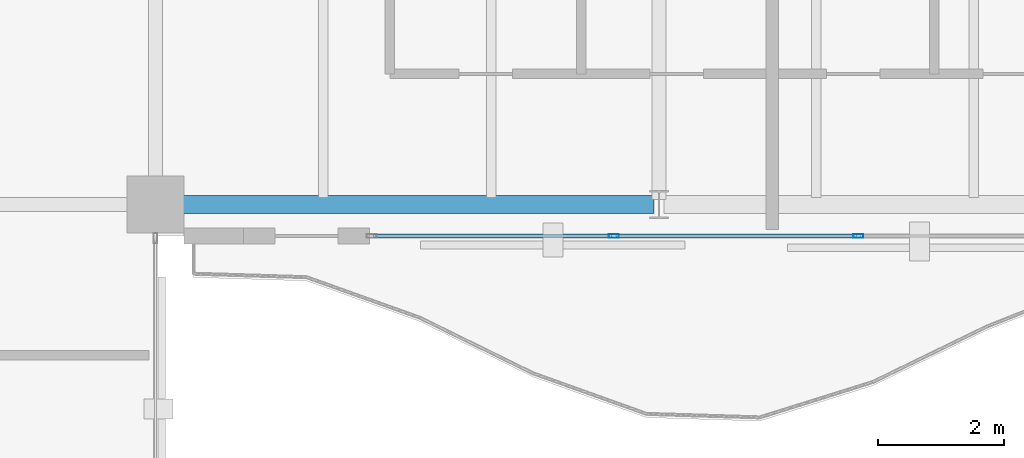
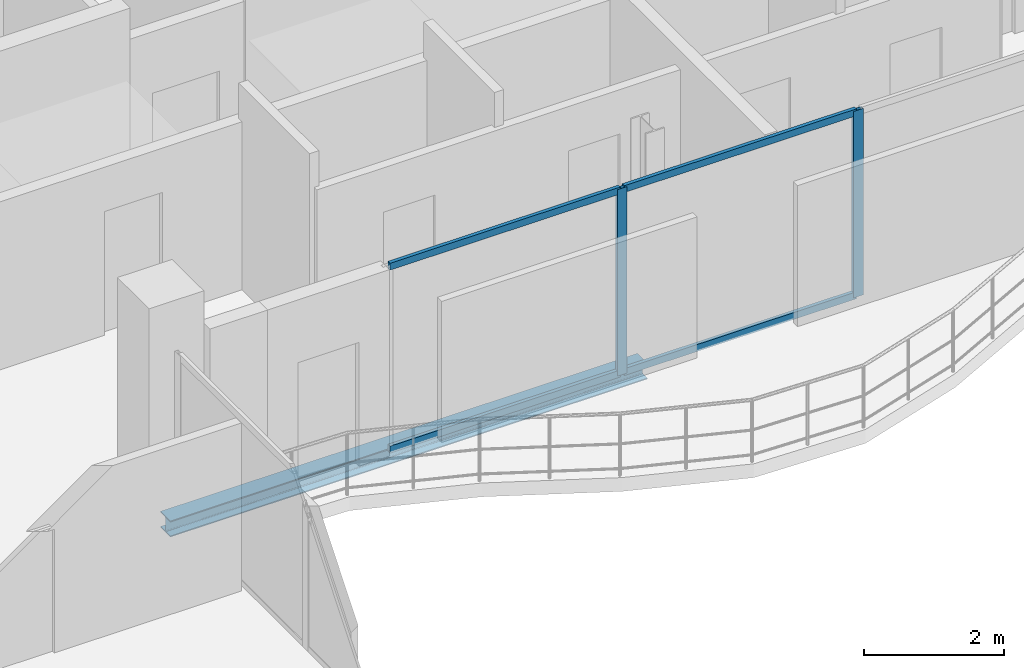
# One storey, part 9 of 22: 6 members, 1 beam, 1 element without a shape of its own.
"""IFC4 building model written with IfcOpenShell, lengths in metres."""

import ifcopenshell
import ifcopenshell.guid

model = None  # the IFC model being written
_history = None  # IfcOwnerHistory: only IFC2X3 demands one
_inside = {}  # id of a spatial element -> (the spatial element, [elements in it])
_under = {}  # id of a project, library or spatial element -> (it, [spatial elements below it])
_declared = {}  # id of a project -> (the project, [libraries it declares])
_typed = {}  # id of a type object -> (the type object, [elements of that type])
_made_of = {}  # id of a material, layer set ... -> (it, [elements and type objects made of it])


def new_model(schema):
    """Start an empty IFC model of exactly this schema.

    Asked for "IFC4X3", IfcOpenShell would pick the latest addendum, in which some entities
    have other attributes; the version numbers below select the first issue.
    IFC2X3 requires an IfcOwnerHistory on every rooted entity: one is made here for all.
    """
    global model, _history
    if schema == "IFC4X3":
        model = ifcopenshell.file(schema_version=(4, 3, 0, 0))
    else:
        model = ifcopenshell.file(schema=schema)
    _inside.clear()
    _under.clear()
    _declared.clear()
    _typed.clear()
    _made_of.clear()
    _history = None
    if model.schema == "IFC2X3":
        org = make("IfcOrganization", Name="unknown")
        user = make(
            "IfcPersonAndOrganization",
            ThePerson=make("IfcPerson", FamilyName="unknown"),
            TheOrganization=org,
        )
        app = make(
            "IfcApplication",
            ApplicationDeveloper=org,
            Version="unknown",
            ApplicationFullName="unknown",
            ApplicationIdentifier="unknown",
        )
        _history = make(
            "IfcOwnerHistory",
            OwningUser=user,
            OwningApplication=app,
            ChangeAction="ADDED",
            CreationDate=0,
        )
    return model


def make(cls, **values):
    """One entity of the class cls with the attributes given. An attribute that is None is left unset."""
    return model.create_entity(
        cls, **{name: value for name, value in values.items() if value is not None}
    )


def rooted(cls, **values):
    """An entity with a GlobalId (a new one), such as an element, a storey or a relation."""
    return make(cls, GlobalId=ifcopenshell.guid.new(), OwnerHistory=_history, **values)


def si_unit(unit_type, name, prefix=None):
    """IfcSIUnit, for example si_unit("LENGTHUNIT", "METRE", prefix="MILLI")."""
    return make("IfcSIUnit", UnitType=unit_type, Prefix=prefix, Name=name)


def assignment(units):
    """IfcUnitAssignment: the units of a project."""
    return None if units is None else make("IfcUnitAssignment", Units=units)


def point(xyz):
    """IfcCartesianPoint."""
    return None if xyz is None else make("IfcCartesianPoint", Coordinates=xyz)


def direction(xyz):
    """IfcDirection."""
    return None if xyz is None else make("IfcDirection", DirectionRatios=xyz)


def frame(location, z_axis=None, x_axis=None):
    """IfcAxis2Placement3D, a coordinate frame: its origin and axes. An axis left out is left unset."""
    return make(
        "IfcAxis2Placement3D",
        Location=point(location),
        Axis=direction(z_axis),
        RefDirection=direction(x_axis),
    )


def frame_2d(location, x_axis=None):
    """IfcAxis2Placement2D, a coordinate frame in the plane: its origin and x axis."""
    return make(
        "IfcAxis2Placement2D", Location=point(location), RefDirection=direction(x_axis)
    )


def origin():
    """The frame at (0, 0, 0) with its axes left unset."""
    return frame((0.0, 0.0, 0.0))


def origin_2d():
    """The frame at (0, 0) in the plane with its x axis left unset."""
    return frame_2d((0.0, 0.0))


def place(relative_to, where):
    """IfcLocalPlacement: puts the frame where relative to a parent placement (None: the world)."""
    return make(
        "IfcLocalPlacement", PlacementRelTo=relative_to, RelativePlacement=where
    )


def context(
    kind, dimensions, precision=None, world=None, true_north=None, identifier=None
):
    """IfcGeometricRepresentationContext, for example the 3D "Model" context."""
    return make(
        "IfcGeometricRepresentationContext",
        ContextIdentifier=identifier,
        ContextType=kind,
        CoordinateSpaceDimension=dimensions,
        Precision=precision,
        WorldCoordinateSystem=world,
        TrueNorth=true_north,
    )


def subcontext(parent, identifier, kind, view, scale=None):
    """IfcGeometricRepresentationSubContext, for example "Body" below "Model"."""
    return make(
        "IfcGeometricRepresentationSubContext",
        ContextIdentifier=identifier,
        ContextType=kind,
        ParentContext=parent,
        TargetScale=scale,
        TargetView=view,
    )


def project(units=None, contexts=None):
    """IfcProject with its units and contexts."""
    return rooted(
        "IfcProject",
        Name="project",
        RepresentationContexts=contexts,
        UnitsInContext=assignment(units),
    )


def spatial(cls, under=None, at=None, **own):
    """A site, building, storey or space (cls), placed at a placement, below another one or the project."""
    s = rooted(cls, ObjectPlacement=at, **own)
    if under is not None:
        _under.setdefault(under.id(), (under, []))[1].append(s)
    return s


def profile(cls, at=None, kind="AREA", **sizes):
    """A parametric profile (cls). Its sizes go by their IFC names, for example OverallWidth=200.0."""
    return make(cls, ProfileType=kind, Position=at, **sizes)


def hollow_rectangle(**sizes):
    """IfcRectangleHollowProfileDef."""
    return profile("IfcRectangleHollowProfileDef", **sizes)


def i_section(**sizes):
    """IfcIShapeProfileDef."""
    return profile("IfcIShapeProfileDef", **sizes)


def extrude(swept, where, along, depth):
    """IfcExtrudedAreaSolid: the profile swept, set in the frame where, extruded along a direction by depth."""
    return make(
        "IfcExtrudedAreaSolid",
        SweptArea=swept,
        Position=where,
        ExtrudedDirection=direction(along),
        Depth=depth,
    )


def shape(context_of_items, identifier, shape_type, items):
    """IfcShapeRepresentation: the items that make up one representation, for example the "Body"."""
    return make(
        "IfcShapeRepresentation",
        ContextOfItems=context_of_items,
        RepresentationIdentifier=identifier,
        RepresentationType=shape_type,
        Items=items,
    )


def material(Name=None, Category=None):
    """IfcMaterial."""
    return make("IfcMaterial", Name=Name, Category=Category)


def layer(
    of_material, thickness, ventilated=None, Name=None, Category=None, Priority=None
):
    """IfcMaterialLayer: one layer of a wall or slab, of a material (None: an air gap)."""
    return make(
        "IfcMaterialLayer",
        Material=of_material,
        LayerThickness=thickness,
        IsVentilated=ventilated,
        Name=Name,
        Category=Category,
        Priority=Priority,
    )


def layer_set(layers, Name=None):
    """IfcMaterialLayerSet."""
    return make("IfcMaterialLayerSet", MaterialLayers=layers, LayerSetName=Name)


def material_profile(
    of_material, cross_section, Name=None, Category=None, Priority=None
):
    """IfcMaterialProfile: a cross section and its material."""
    return make(
        "IfcMaterialProfile",
        Name=Name,
        Material=of_material,
        Profile=cross_section,
        Priority=Priority,
        Category=Category,
    )


def profile_set(profiles, Name=None, composite=None):
    """IfcMaterialProfileSet."""
    return make(
        "IfcMaterialProfileSet",
        Name=Name,
        MaterialProfiles=profiles,
        CompositeProfile=composite,
    )


def made_of(thing, what):
    """Note that an element or type object is made of a material, layer set ...; save() writes the relation."""
    if what is not None:
        _made_of.setdefault(what.id(), (what, []))[1].append(thing)
    return thing


def type_object(cls, material=None, **own):
    """A type object (cls), such as IfcWallType, which elements share."""
    return made_of(rooted(cls, **own), material)


def element(
    cls,
    number,
    at=None,
    inside=None,
    cuts=None,
    type_object=None,
    material=None,
    context=None,
    identifier="Body",
    shape_type=None,
    held_by="IfcProductDefinitionShape",
    body=None,
    shapes=None,
    **own,
):
    """One element of the class cls, such as IfcWall. Its Tag is "e" and its number.

    at: its placement. inside: the storey or other place that contains it. cuts: it is an
    opening in that element (IfcRelVoidsElement). A single representation is given by context,
    identifier, shape_type and body (its items); several are given by shapes. held_by: the class
    of the entity that holds the representations. save() writes the other relations.
    """
    e = rooted(cls, Tag="e%d" % number, ObjectPlacement=at, **own)
    if body is not None:
        shapes = [shape(context, identifier, shape_type, body)]
    if shapes is not None:
        e.Representation = make(held_by, Representations=shapes)
    if inside is not None:
        _inside.setdefault(inside.id(), (inside, []))[1].append(e)
    if cuts is not None:
        rooted(
            "IfcRelVoidsElement", RelatingBuildingElement=cuts, RelatedOpeningElement=e
        )
    if type_object is not None:
        _typed.setdefault(type_object.id(), (type_object, []))[1].append(e)
    return made_of(e, material)


def aggregate(whole, parts):
    """IfcRelAggregates: a whole, such as a stair, and the parts it consists of."""
    return rooted("IfcRelAggregates", RelatingObject=whole, RelatedObjects=parts)


def save(model, path):
    """Write the relations noted so far, then the file.

    IfcRelAggregates (storeys below a building ...), IfcRelContainedInSpatialStructure (elements
    in a storey), IfcRelDefinesByType, IfcRelAssociatesMaterial and IfcRelDeclares: one each for
    every whole, place, type object, material and project.
    """
    for whole, parts in _under.values():
        aggregate(whole, parts)
    for where, things in _inside.values():
        rooted(
            "IfcRelContainedInSpatialStructure",
            RelatedElements=things,
            RelatingStructure=where,
        )
    for kind, things in _typed.values():
        rooted("IfcRelDefinesByType", RelatedObjects=things, RelatingType=kind)
    for what, things in _made_of.values():
        rooted("IfcRelAssociatesMaterial", RelatedObjects=things, RelatingMaterial=what)
    for by, libraries in _declared.values():
        rooted("IfcRelDeclares", RelatingContext=by, RelatedDefinitions=libraries)
    model.write(path)


model = new_model("IFC4")

# Units and contexts
model_context = context("Model", 3, precision=1e-05, world=origin(), true_north=direction((0.0, 1.0)))
body_context = subcontext(model_context, "Body", "Model", "MODEL_VIEW")
ifc_project = project(units=[si_unit("LENGTHUNIT", "METRE"), si_unit("AREAUNIT", "SQUARE_METRE"), si_unit("VOLUMEUNIT", "CUBIC_METRE"), si_unit("PLANEANGLEUNIT", "RADIAN"), si_unit("MASSUNIT", "GRAM", prefix="KILO")], contexts=[model_context])

# Site, building, storey
site_placement = place(None, origin())
site = spatial("IfcSite", under=ifc_project, at=site_placement, CompositionType="ELEMENT")
building_placement = place(site_placement, origin())
building = spatial("IfcBuilding", under=site, at=building_placement, Name="Catumbela Crestline Tower", CompositionType="ELEMENT")
storey_placement = place(building_placement, frame((0.0, 0.0, 226.0)))
storey = spatial("IfcBuildingStorey", under=building, at=storey_placement, Name="L58", CompositionType="ELEMENT", Elevation=226.0)

# Curtain wall, members
ifc_material_1 = material(Name="Aluminium alloy AW-6060-T66", Category="aluminium")
ifc_layer = layer(ifc_material_1, 0.18, Name="Aluminium alloy AW-6060-T66")
ifc_layer_set = layer_set([ifc_layer], Name="Aluminium alloy AW-6060-T66")
curtain_wall_type = type_object("IfcCurtainWallType", Name="CWU-Z4", PredefinedType="USERDEFINED", material=ifc_layer_set)
curtain_wall_placement = place(storey_placement, origin())
curtain_wall = element("IfcCurtainWall", 1, at=curtain_wall_placement, inside=storey, type_object=curtain_wall_type, Name="L58 Unitised Curtain Wall CW-L58-E3S2", ObjectType="UNITISED", PredefinedType="USERDEFINED")
ifc_material_profile_1 = material_profile(ifc_material_1, hollow_rectangle(XDim=0.06, YDim=0.16, WallThickness=0.004, at=origin_2d()), Name="ALU 160x60x4")
ifc_profile_set_1 = profile_set([ifc_material_profile_1], Name="Aluminium alloy AW-6060-T66")
member_type_1 = type_object("IfcMemberType", Name="MUL-160X60", PredefinedType="MULLION", material=ifc_profile_set_1)
member_1_placement = place(storey_placement, frame((31.2833, 24.0, 0.0), z_axis=(0.0, 0.0, 1.0), x_axis=(0.0, 1.0, 0.0)))
member_1 = element("IfcMember", 2, at=member_1_placement, type_object=member_type_1, Name="CWU-Z4 mullion 2", PredefinedType="MULLION", context=body_context, shape_type="SweptSolid", body=[
    extrude(hollow_rectangle(XDim=0.06, YDim=0.16, WallThickness=0.004, at=origin_2d()), origin(), (0.0, 0.0, 1.0), 3.24),
])
member_2_placement = place(storey_placement, frame((35.1667, 24.0, 0.0), z_axis=(0.0, 0.0, 1.0), x_axis=(0.0, 1.0, 0.0)))
member_2 = element("IfcMember", 3, at=member_2_placement, type_object=member_type_1, Name="CWU-Z4 mullion 3", PredefinedType="MULLION", context=body_context, shape_type="SweptSolid", body=[
    extrude(hollow_rectangle(XDim=0.06, YDim=0.16, WallThickness=0.004, at=origin_2d()), origin(), (0.0, 0.0, 1.0), 3.24),
])

# Beam
ifc_material_2 = material(Name="Structural steel S355J2", Category="steel")
ifc_material_profile_2 = material_profile(ifc_material_2, i_section(OverallWidth=0.28, OverallDepth=0.28, WebThickness=0.0105, FlangeThickness=0.018, FilletRadius=0.024, at=origin_2d()), Name="HEB 280")
ifc_profile_set_2 = profile_set([ifc_material_profile_2], Name="Structural steel S355J2")
beam_type = type_object("IfcBeamType", Name="BS-HEB280", PredefinedType="SPANDREL", material=ifc_profile_set_2)
beam_placement = place(storey_placement, frame((24.08, 24.5, -0.4), z_axis=(1.0, 0.0, 0.0), x_axis=(0.0, 1.0, 0.0)))
element("IfcBeam", 4, at=beam_placement, inside=storey, type_object=beam_type, Name="L58 Spandrel SP-L58-S04", PredefinedType="SPANDREL", context=body_context, shape_type="SweptSolid", body=[
    extrude(i_section(OverallWidth=0.28, OverallDepth=0.28, WebThickness=0.0105, FlangeThickness=0.018, FilletRadius=0.024, at=origin_2d()), origin(), (0.0, 0.0, 1.0), 7.84),
])

# Member
ifc_material_profile_3 = material_profile(ifc_material_1, hollow_rectangle(XDim=0.06, YDim=0.12, WallThickness=0.0035, at=origin_2d()), Name="ALU 120x60x3.5")
ifc_profile_set_3 = profile_set([ifc_material_profile_3], Name="Aluminium alloy AW-6060-T66")
member_type_2 = type_object("IfcMemberType", Name="TRN-120X60", PredefinedType="USERDEFINED", material=ifc_profile_set_3)
member_3_placement = place(storey_placement, frame((27.465, 24.0, 0.03), z_axis=(1.0, 0.0, 0.0), x_axis=(0.0, 1.0, 0.0)))
member_3 = element("IfcMember", 5, at=member_3_placement, type_object=member_type_2, Name="CWU-Z4 transom 1.1", ObjectType="TRANSOM", PredefinedType="USERDEFINED", context=body_context, shape_type="SweptSolid", body=[
    extrude(hollow_rectangle(XDim=0.06, YDim=0.12, WallThickness=0.0035, at=origin_2d()), origin(), (0.0, 0.0, 1.0), 3.7858),
])

member_4_placement = place(storey_placement, frame((27.465, 24.0, 3.21), z_axis=(1.0, 0.0, 0.0), x_axis=(0.0, 1.0, 0.0)))
member_4 = element("IfcMember", 6, at=member_4_placement, type_object=member_type_2, Name="CWU-Z4 transom 1.2", ObjectType="TRANSOM", PredefinedType="USERDEFINED", context=body_context, shape_type="SweptSolid", body=[
    extrude(hollow_rectangle(XDim=0.06, YDim=0.12, WallThickness=0.0035, at=origin_2d()), origin(), (0.0, 0.0, 1.0), 3.7858),
])

member_5_placement = place(storey_placement, frame((31.3158, 24.0, 0.03), z_axis=(1.0, 0.0, 0.0), x_axis=(0.0, 1.0, 0.0)))
member_5 = element("IfcMember", 7, at=member_5_placement, type_object=member_type_2, Name="CWU-Z4 transom 2.1", ObjectType="TRANSOM", PredefinedType="USERDEFINED", context=body_context, shape_type="SweptSolid", body=[
    extrude(hollow_rectangle(XDim=0.06, YDim=0.12, WallThickness=0.0035, at=origin_2d()), origin(), (0.0, 0.0, 1.0), 3.8184),
])

member_6_placement = place(storey_placement, frame((31.3158, 24.0, 3.21), z_axis=(1.0, 0.0, 0.0), x_axis=(0.0, 1.0, 0.0)))
member_6 = element("IfcMember", 8, at=member_6_placement, type_object=member_type_2, Name="CWU-Z4 transom 2.2", ObjectType="TRANSOM", PredefinedType="USERDEFINED", context=body_context, shape_type="SweptSolid", body=[
    extrude(hollow_rectangle(XDim=0.06, YDim=0.12, WallThickness=0.0035, at=origin_2d()), origin(), (0.0, 0.0, 1.0), 3.8184),
])

aggregate(curtain_wall, [member_1, member_2, member_3, member_4, member_5, member_6])

save(model, "model.ifc")
